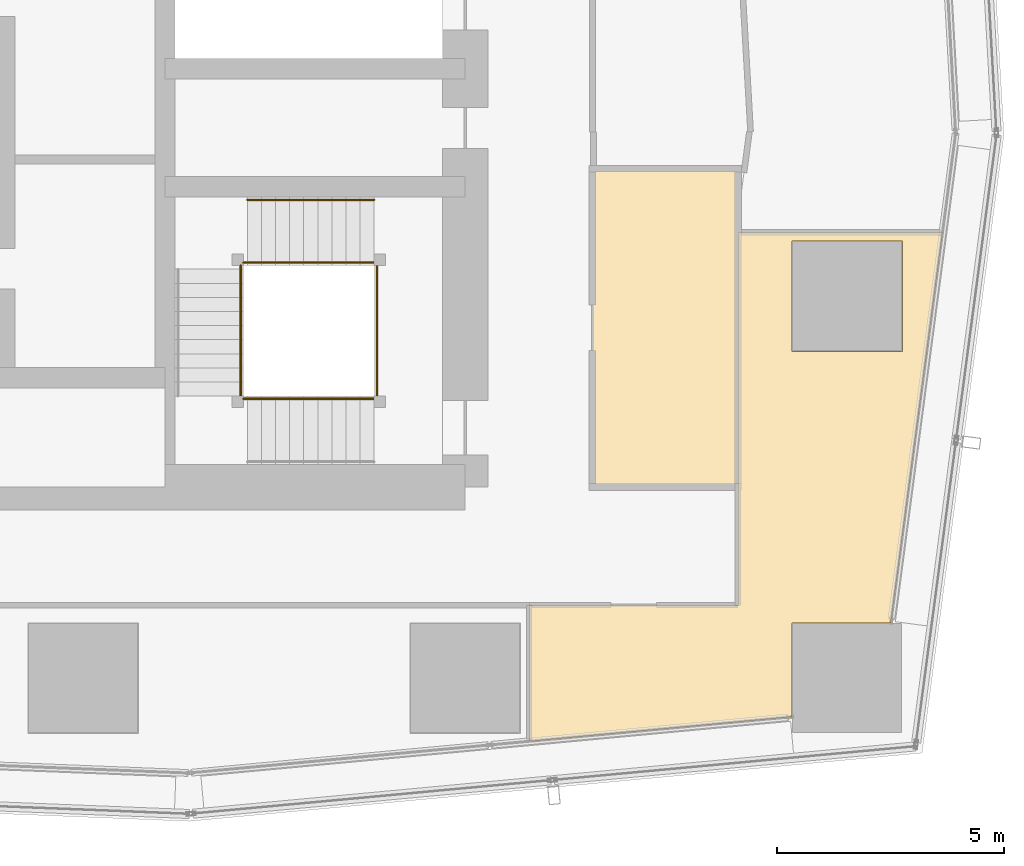
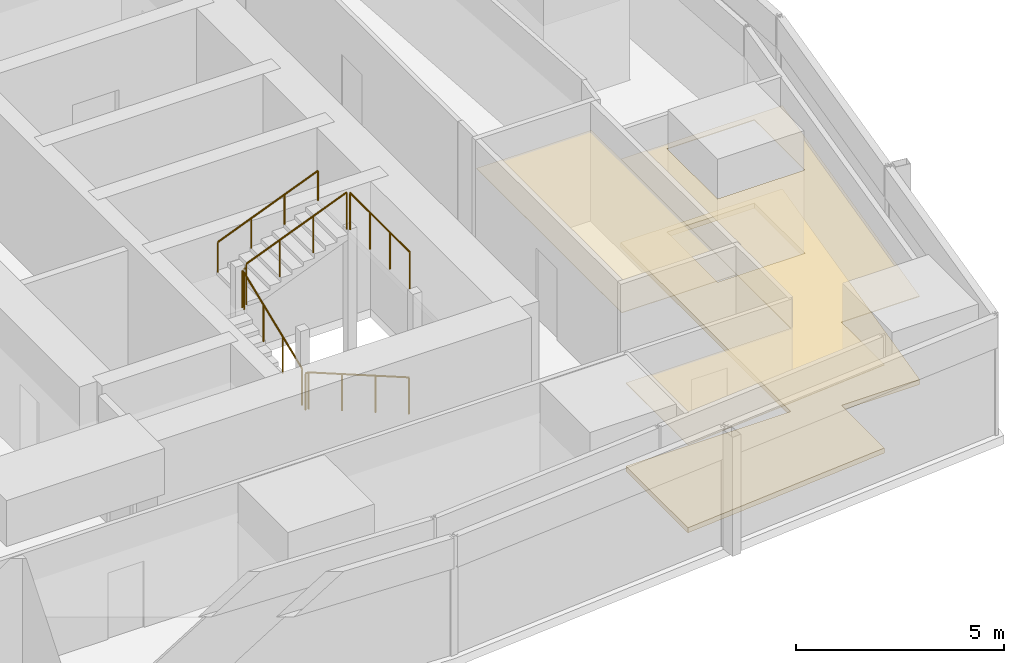
# One storey, part 35 of 37: 8 railings, 3 coverings.
"""IFC4 building model written with IfcOpenShell, lengths in metres."""

from ifc_helpers import new_model, si_unit, direction, frame, origin, origin_2d, place, context, subcontext, project, spatial, polyline, circle, outline, extrude, material, layer, layer_set, type_object, element, save


model = new_model("IFC4")

# Units and contexts
model_context = context("Model", 3, precision=1e-05, world=origin(), true_north=direction((0.0, 1.0)))
body_context = subcontext(model_context, "Body", "Model", "MODEL_VIEW")
ifc_project = project(units=[si_unit("LENGTHUNIT", "METRE"), si_unit("AREAUNIT", "SQUARE_METRE"), si_unit("VOLUMEUNIT", "CUBIC_METRE"), si_unit("PLANEANGLEUNIT", "RADIAN"), si_unit("MASSUNIT", "GRAM", prefix="KILO")], contexts=[model_context])

# Site, building, storey
site_placement = place(None, origin())
site = spatial("IfcSite", under=ifc_project, at=site_placement, CompositionType="ELEMENT")
building_placement = place(site_placement, origin())
building = spatial("IfcBuilding", under=site, at=building_placement, Name="Rekha Terrace Tower", CompositionType="ELEMENT")
storey_placement = place(building_placement, frame((0.0, 0.0, 232.699951171875)))
storey = spatial("IfcBuildingStorey", under=building, at=storey_placement, Name="L59", CompositionType="ELEMENT", Elevation=232.699951171875)

# Coverings
ifc_material_1 = material(Name="Mineral fibre tile in exposed grid", Category="finish")
ifc_layer_1 = layer(ifc_material_1, 0.02001953125)
ifc_layer_set_1 = layer_set([ifc_layer_1], Name="Mineral fibre tile in exposed grid")
covering_type_1 = type_object("IfcCoveringType", Name="CL1 600x1200 office grid ceiling", PredefinedType="CEILING", material=ifc_layer_set_1)
covering_1_placement = place(storey_placement, frame((0.0, 0.0, 2.580078125)))
element("IfcCovering", 1, at=covering_1_placement, inside=storey, type_object=covering_type_1, Name="Ceiling L59-03", PredefinedType="CEILING", context=body_context, shape_type="SweptSolid", body=[
    extrude(outline(polyline([(59.760009765625, 18.014892578125), (60.89697265625, 26.59912109375), (56.39990234375, 26.59912109375), (56.39990234375, 18.39990234375), (51.81201171875, 18.39990234375), (51.81201171875, 15.409912109375), (57.5849609375, 15.947998046875), (57.5849609375, 18.014892578125), (59.760009765625, 18.014892578125)]), holes=[polyline([(60.014892578125, 23.985107421875), (57.5849609375, 23.985107421875), (57.5849609375, 26.4150390625), (60.014892578125, 26.4150390625), (60.014892578125, 23.985107421875)])]), origin(), (0.0, 0.0, 1.0), 0.02001953125),
])
ifc_material_2 = material(Name="Fibre cement board", Category="finish")
ifc_layer_2 = layer(ifc_material_2, 0.014892578125)
ifc_layer_set_2 = layer_set([ifc_layer_2], Name="Fibre cement board")
covering_type_2 = type_object("IfcCoveringType", Name="CL2 moisture-resistant board ceiling", PredefinedType="CEILING", material=ifc_layer_set_2)
covering_2_placement = place(storey_placement, frame((0.0, 0.0, 2.5849609375)))
element("IfcCovering", 2, at=covering_2_placement, inside=storey, type_object=covering_type_2, Name="Ceiling L59-WCM2", PredefinedType="CEILING", context=body_context, shape_type="SweptSolid", body=[
    extrude(outline(polyline([(56.39990234375, 28.0), (53.199951171875, 28.0), (53.199951171875, 21.0), (56.39990234375, 21.0), (56.39990234375, 28.0)])), origin(), (0.0, 0.0, 1.0), 0.01513671875),
])

# Railings
ifc_material_3 = material(Name="Stainless steel balustrade", Category="steel")
railing_type_1 = type_object("IfcRailingType", Name="GR1 1100 stair guard", PredefinedType="GUARDRAIL", material=ifc_material_3)
railing_1_placement = place(storey_placement, frame((48.39990234375, 22.93994140625, 0.125)))
element("IfcRailing", 3, at=railing_1_placement, inside=storey, type_object=railing_type_1, Name="Guard ST3 L59 flight 1", PredefinedType="GUARDRAIL", context=body_context, shape_type="SweptSolid", body=[
    extrude(circle(Radius=0.02392578125, at=origin_2d()), frame((0.0, 0.0, 1.076171875), z_axis=(-0.927431937212, 0.0, 0.373991980981), x_axis=(0.0, -1.0, 0.0)), (0.0, 0.0, 1.0), 3.008056640625),
    extrude(circle(Radius=0.02099609375, at=origin_2d()), origin(), (0.0, 0.0, 1.0), 1.052001953125),
    extrude(circle(Radius=0.02099609375, at=origin_2d()), frame((-0.929931640625, 0.0, 0.375)), (0.0, 0.0, 1.0), 1.052001953125),
    extrude(circle(Radius=0.02099609375, at=origin_2d()), frame((-1.85986328125, 0.0, 0.75)), (0.0, 0.0, 1.0), 1.052001953125),
    extrude(circle(Radius=0.02099609375, at=origin_2d()), frame((-2.789794921875, 0.0, 1.125)), (0.0, 0.0, 1.0), 1.052001953125),
])
railing_2_placement = place(storey_placement, frame((45.465087890625, 23.0, 1.375)))
element("IfcRailing", 4, at=railing_2_placement, inside=storey, type_object=railing_type_1, Name="Guard ST3 L59 flight 2", PredefinedType="GUARDRAIL", context=body_context, shape_type="SweptSolid", body=[
    extrude(circle(Radius=0.02392578125, at=origin_2d()), frame((0.0, 0.0, 1.076171875), z_axis=(0.0, 0.927443287984, 0.373963831907), x_axis=(-1.0, 0.0, 0.0)), (0.0, 0.0, 1.0), 3.00830078125),
    extrude(circle(Radius=0.02099609375, at=origin_2d()), origin(), (0.0, 0.0, 1.0), 1.052001953125),
    extrude(circle(Radius=0.02099609375, at=origin_2d()), frame((0.0, 0.929931640625, 0.375)), (0.0, 0.0, 1.0), 1.052001953125),
    extrude(circle(Radius=0.02099609375, at=origin_2d()), frame((0.0, 1.860107421875, 0.75)), (0.0, 0.0, 1.0), 1.052001953125),
    extrude(circle(Radius=0.02099609375, at=origin_2d()), frame((0.0, 2.7900390625, 1.125)), (0.0, 0.0, 1.0), 1.052001953125),
])
railing_3_placement = place(storey_placement, frame((45.610107421875, 25.93505859375, 2.625)))
element("IfcRailing", 5, at=railing_3_placement, inside=storey, type_object=railing_type_1, Name="Guard ST3 L59 flight 3", PredefinedType="GUARDRAIL", context=body_context, shape_type="SweptSolid", body=[
    extrude(circle(Radius=0.02392578125, at=origin_2d()), frame((0.0, 0.0, 1.076171875), z_axis=(0.927431937212, 0.0, 0.373991980981), x_axis=(0.0, 1.0, 0.0)), (0.0, 0.0, 1.0), 3.008056640625),
    extrude(circle(Radius=0.02099609375, at=origin_2d()), origin(), (0.0, 0.0, 1.0), 1.052001953125),
    extrude(circle(Radius=0.02099609375, at=origin_2d()), frame((0.929931640625, 0.0, 0.375)), (0.0, 0.0, 1.0), 1.052001953125),
    extrude(circle(Radius=0.02099609375, at=origin_2d()), frame((1.85986328125, 0.0, 0.75)), (0.0, 0.0, 1.0), 1.052001953125),
    extrude(circle(Radius=0.02099609375, at=origin_2d()), frame((2.789794921875, 0.0, 1.125)), (0.0, 0.0, 1.0), 1.052001953125),
])
railing_4_placement = place(storey_placement, frame((45.610107421875, 22.93994140625, 1.25)))
element("IfcRailing", 6, at=railing_4_placement, inside=storey, type_object=railing_type_1, Name="Guard ST3 L59 landing 1", PredefinedType="GUARDRAIL", context=body_context, shape_type="SweptSolid", body=[
    extrude(circle(Radius=0.02392578125, at=origin_2d()), frame((0.0, 0.0, 1.076171875), z_axis=(-1.0, 0.0, 0.0), x_axis=(0.0, -1.0, 0.0)), (0.0, 0.0, 1.0), 0.085205078125),
    extrude(circle(Radius=0.02099609375, at=origin_2d()), origin(), (0.0, 0.0, 1.0), 1.052001953125),
    extrude(circle(Radius=0.02099609375, at=origin_2d()), frame((-0.085205078125, 0.0, 0.0)), (0.0, 0.0, 1.0), 1.052001953125),
])
railing_5_placement = place(storey_placement, frame((45.465087890625, 25.7900390625, 2.5)))
element("IfcRailing", 7, at=railing_5_placement, inside=storey, type_object=railing_type_1, Name="Guard ST3 L59 landing 2", PredefinedType="GUARDRAIL", context=body_context, shape_type="SweptSolid", body=[
    extrude(circle(Radius=0.02392578125, at=origin_2d()), frame((0.0, 0.0, 1.076171875), z_axis=(0.0, 1.0, 0.0), x_axis=(-1.0, 0.0, 0.0)), (0.0, 0.0, 1.0), 0.0849609375),
    extrude(circle(Radius=0.02099609375, at=origin_2d()), origin(), (0.0, 0.0, 1.0), 1.052001953125),
    extrude(circle(Radius=0.02099609375, at=origin_2d()), frame((0.0, 0.0849609375, 0.0)), (0.0, 0.0, 1.0), 1.052001953125),
])
railing_6_placement = place(storey_placement, frame((45.610107421875, 25.93505859375, 2.5)))
element("IfcRailing", 8, at=railing_6_placement, inside=storey, type_object=railing_type_1, Name="Guard ST3 L59 landing 3", PredefinedType="GUARDRAIL", context=body_context, shape_type="SweptSolid", body=[
    extrude(circle(Radius=0.02392578125, at=origin_2d()), frame((0.0, 0.0, 1.076171875), z_axis=(-1.0, 0.0, 0.0), x_axis=(0.0, -1.0, 0.0)), (0.0, 0.0, 1.0), 0.085205078125),
    extrude(circle(Radius=0.02099609375, at=origin_2d()), origin(), (0.0, 0.0, 1.0), 1.052001953125),
    extrude(circle(Radius=0.02099609375, at=origin_2d()), frame((-0.085205078125, 0.0, 0.0)), (0.0, 0.0, 1.0), 1.052001953125),
])
railing_7_placement = place(storey_placement, frame((48.4599609375, 23.0, 3.75)))
element("IfcRailing", 9, at=railing_7_placement, inside=storey, type_object=railing_type_1, Name="Guard ST3 L59 landing 4", PredefinedType="GUARDRAIL", context=body_context, shape_type="SweptSolid", body=[
    extrude(circle(Radius=0.02392578125, at=origin_2d()), frame((0.0, 0.0, 1.076171875), z_axis=(0.0, 1.0, 0.0), x_axis=(-1.0, 0.0, 0.0)), (0.0, 0.0, 1.0), 2.875),
    extrude(circle(Radius=0.02099609375, at=origin_2d()), origin(), (0.0, 0.0, 1.0), 1.052001953125),
    extrude(circle(Radius=0.02099609375, at=origin_2d()), frame((0.0, 0.958251953125, 0.0)), (0.0, 0.0, 1.0), 1.052001953125),
    extrude(circle(Radius=0.02099609375, at=origin_2d()), frame((0.0, 1.916748046875, 0.0)), (0.0, 0.0, 1.0), 1.052001953125),
    extrude(circle(Radius=0.02099609375, at=origin_2d()), frame((0.0, 2.875, 0.0)), (0.0, 0.0, 1.0), 1.052001953125),
])
ifc_material_4 = material(Name="Stainless steel tube", Category="steel")
railing_type_2 = type_object("IfcRailingType", Name="HR1 900 stair handrail", PredefinedType="HANDRAIL", material=ifc_material_4)
railing_8_placement = place(storey_placement, frame((45.610107421875, 27.31494140625, 2.625)))
element("IfcRailing", 10, at=railing_8_placement, inside=storey, type_object=railing_type_2, Name="Handrail ST3 L59 flight 3", PredefinedType="HANDRAIL", context=body_context, shape_type="SweptSolid", body=[
    extrude(circle(Radius=0.02392578125, at=origin_2d()), frame((0.0, 0.0, 0.8759765625), z_axis=(0.927431937212, 0.0, 0.373991980981), x_axis=(0.0, 1.0, 0.0)), (0.0, 0.0, 1.0), 3.008056640625),
    extrude(circle(Radius=0.02099609375, at=origin_2d()), origin(), (0.0, 0.0, 1.0), 0.851806640625),
    extrude(circle(Radius=0.02099609375, at=origin_2d()), frame((0.929931640625, 0.0, 0.375)), (0.0, 0.0, 1.0), 0.851806640625),
    extrude(circle(Radius=0.02099609375, at=origin_2d()), frame((1.85986328125, 0.0, 0.75)), (0.0, 0.0, 1.0), 0.851806640625),
    extrude(circle(Radius=0.02099609375, at=origin_2d()), frame((2.789794921875, 0.0, 1.125)), (0.0, 0.0, 1.0), 0.851806640625),
])

# Covering
ifc_material_5 = material(Name="Calcium sulphate panels on steel pedestals", Category="steel")
ifc_layer_3 = layer(ifc_material_5, 0.14990234375)
ifc_layer_set_3 = layer_set([ifc_layer_3], Name="Calcium sulphate panels on steel pedestals")
covering_type_3 = type_object("IfcCoveringType", Name="RF1 150 raised access floor", PredefinedType="FLOORING", material=ifc_layer_set_3)
covering_3_placement = place(storey_placement, origin())
element("IfcCovering", 11, at=covering_3_placement, inside=storey, type_object=covering_type_3, Name="Raised floor L59-03", PredefinedType="FLOORING", context=body_context, shape_type="SweptSolid", body=[
    extrude(outline(polyline([(59.760009765625, 18.014892578125), (60.89697265625, 26.59912109375), (56.39990234375, 26.59912109375), (56.39990234375, 18.39990234375), (51.81201171875, 18.39990234375), (51.81201171875, 15.409912109375), (57.5849609375, 15.947998046875), (57.5849609375, 18.014892578125), (59.760009765625, 18.014892578125)]), holes=[polyline([(60.014892578125, 23.985107421875), (57.5849609375, 23.985107421875), (57.5849609375, 26.4150390625), (60.014892578125, 26.4150390625), (60.014892578125, 23.985107421875)])]), origin(), (0.0, 0.0, 1.0), 0.150146484375),
])

save(model, "model.ifc")
